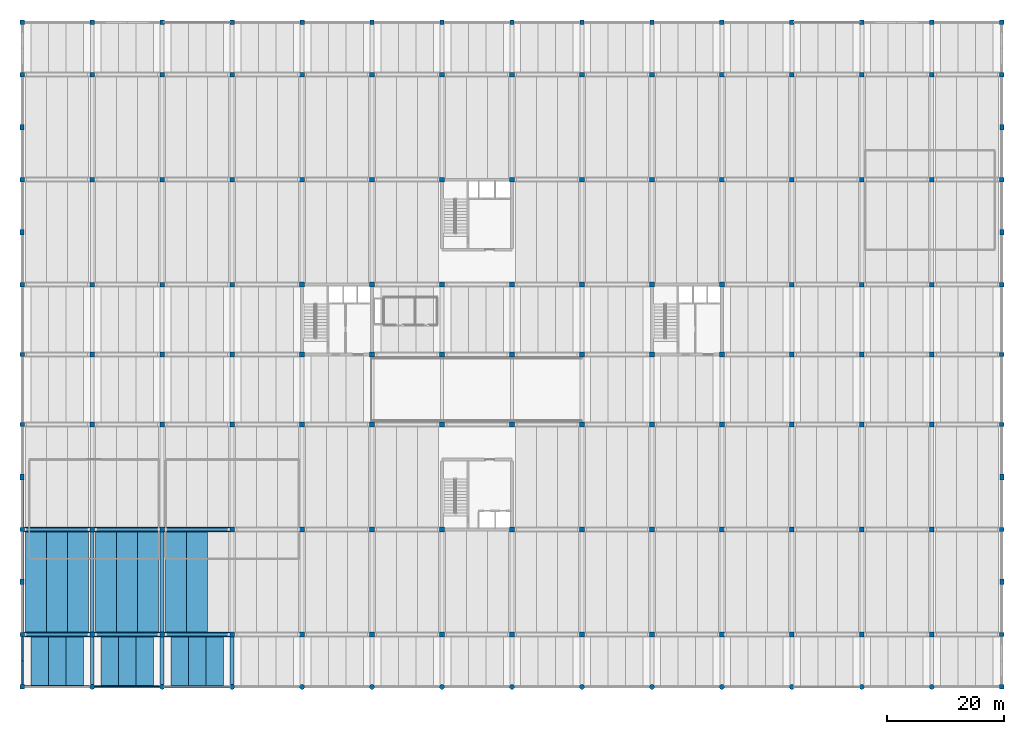
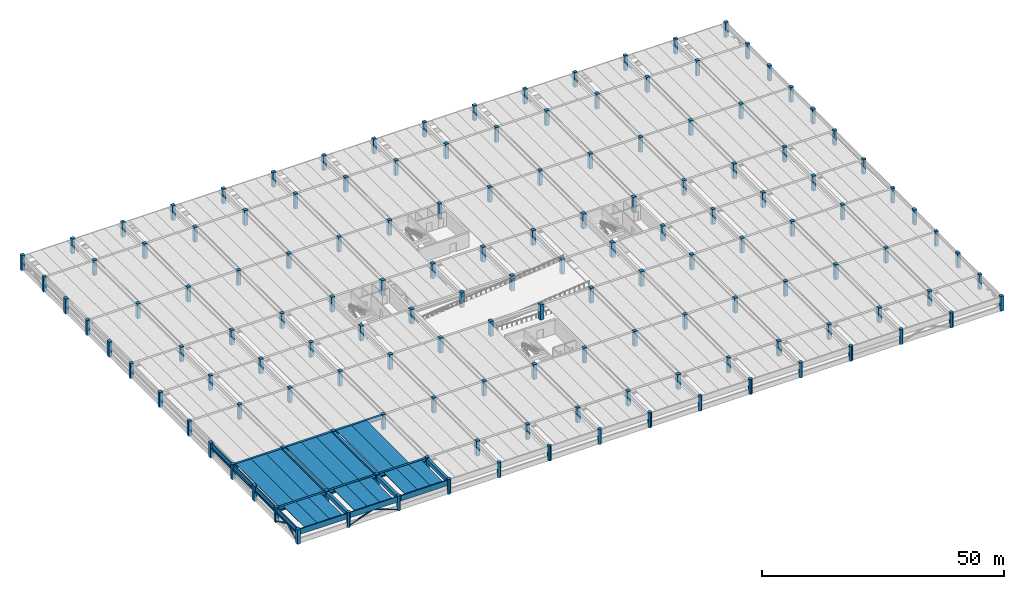
# One storey, part 1 of 21: 143 columns, 35 beams, 4 members.
"""IFC4 building model written with IfcOpenShell, lengths in metres."""

import ifcopenshell
import ifcopenshell.guid

model = None  # the IFC model being written
_history = None  # IfcOwnerHistory: only IFC2X3 demands one
_inside = {}  # id of a spatial element -> (the spatial element, [elements in it])
_under = {}  # id of a project, library or spatial element -> (it, [spatial elements below it])
_declared = {}  # id of a project -> (the project, [libraries it declares])
_typed = {}  # id of a type object -> (the type object, [elements of that type])
_made_of = {}  # id of a material, layer set ... -> (it, [elements and type objects made of it])


def new_model(schema):
    """Start an empty IFC model of exactly this schema.

    Asked for "IFC4X3", IfcOpenShell would pick the latest addendum, in which some entities
    have other attributes; the version numbers below select the first issue.
    IFC2X3 requires an IfcOwnerHistory on every rooted entity: one is made here for all.
    """
    global model, _history
    if schema == "IFC4X3":
        model = ifcopenshell.file(schema_version=(4, 3, 0, 0))
    else:
        model = ifcopenshell.file(schema=schema)
    _inside.clear()
    _under.clear()
    _declared.clear()
    _typed.clear()
    _made_of.clear()
    _history = None
    if model.schema == "IFC2X3":
        org = make("IfcOrganization", Name="unknown")
        user = make(
            "IfcPersonAndOrganization",
            ThePerson=make("IfcPerson", FamilyName="unknown"),
            TheOrganization=org,
        )
        app = make(
            "IfcApplication",
            ApplicationDeveloper=org,
            Version="unknown",
            ApplicationFullName="unknown",
            ApplicationIdentifier="unknown",
        )
        _history = make(
            "IfcOwnerHistory",
            OwningUser=user,
            OwningApplication=app,
            ChangeAction="ADDED",
            CreationDate=0,
        )
    return model


def make(cls, **values):
    """One entity of the class cls with the attributes given. An attribute that is None is left unset."""
    return model.create_entity(
        cls, **{name: value for name, value in values.items() if value is not None}
    )


def rooted(cls, **values):
    """An entity with a GlobalId (a new one), such as an element, a storey or a relation."""
    return make(cls, GlobalId=ifcopenshell.guid.new(), OwnerHistory=_history, **values)


def si_unit(unit_type, name, prefix=None):
    """IfcSIUnit, for example si_unit("LENGTHUNIT", "METRE", prefix="MILLI")."""
    return make("IfcSIUnit", UnitType=unit_type, Prefix=prefix, Name=name)


def assignment(units):
    """IfcUnitAssignment: the units of a project."""
    return None if units is None else make("IfcUnitAssignment", Units=units)


def point(xyz):
    """IfcCartesianPoint."""
    return None if xyz is None else make("IfcCartesianPoint", Coordinates=xyz)


def direction(xyz):
    """IfcDirection."""
    return None if xyz is None else make("IfcDirection", DirectionRatios=xyz)


def frame(location, z_axis=None, x_axis=None):
    """IfcAxis2Placement3D, a coordinate frame: its origin and axes. An axis left out is left unset."""
    return make(
        "IfcAxis2Placement3D",
        Location=point(location),
        Axis=direction(z_axis),
        RefDirection=direction(x_axis),
    )


def frame_2d(location, x_axis=None):
    """IfcAxis2Placement2D, a coordinate frame in the plane: its origin and x axis."""
    return make(
        "IfcAxis2Placement2D", Location=point(location), RefDirection=direction(x_axis)
    )


def origin():
    """The frame at (0, 0, 0) with its axes left unset."""
    return frame((0.0, 0.0, 0.0))


def origin_2d():
    """The frame at (0, 0) in the plane with its x axis left unset."""
    return frame_2d((0.0, 0.0))


def place(relative_to, where):
    """IfcLocalPlacement: puts the frame where relative to a parent placement (None: the world)."""
    return make(
        "IfcLocalPlacement", PlacementRelTo=relative_to, RelativePlacement=where
    )


def context(
    kind, dimensions, precision=None, world=None, true_north=None, identifier=None
):
    """IfcGeometricRepresentationContext, for example the 3D "Model" context."""
    return make(
        "IfcGeometricRepresentationContext",
        ContextIdentifier=identifier,
        ContextType=kind,
        CoordinateSpaceDimension=dimensions,
        Precision=precision,
        WorldCoordinateSystem=world,
        TrueNorth=true_north,
    )


def subcontext(parent, identifier, kind, view, scale=None):
    """IfcGeometricRepresentationSubContext, for example "Body" below "Model"."""
    return make(
        "IfcGeometricRepresentationSubContext",
        ContextIdentifier=identifier,
        ContextType=kind,
        ParentContext=parent,
        TargetScale=scale,
        TargetView=view,
    )


def project(units=None, contexts=None):
    """IfcProject with its units and contexts."""
    return rooted(
        "IfcProject",
        Name="project",
        RepresentationContexts=contexts,
        UnitsInContext=assignment(units),
    )


def spatial(cls, under=None, at=None, **own):
    """A site, building, storey or space (cls), placed at a placement, below another one or the project."""
    s = rooted(cls, ObjectPlacement=at, **own)
    if under is not None:
        _under.setdefault(under.id(), (under, []))[1].append(s)
    return s


def polyline(points):
    """IfcPolyline through the points."""
    return make("IfcPolyline", Points=[point(p) for p in points])


def profile(cls, at=None, kind="AREA", **sizes):
    """A parametric profile (cls). Its sizes go by their IFC names, for example OverallWidth=200.0."""
    return make(cls, ProfileType=kind, Position=at, **sizes)


def rectangle(**sizes):
    """IfcRectangleProfileDef."""
    return profile("IfcRectangleProfileDef", **sizes)


def hollow_rectangle(**sizes):
    """IfcRectangleHollowProfileDef."""
    return profile("IfcRectangleHollowProfileDef", **sizes)


def circle(**sizes):
    """IfcCircleProfileDef."""
    return profile("IfcCircleProfileDef", **sizes)


def outline(outer, holes=None, kind="AREA"):
    """IfcArbitraryClosedProfileDef: a profile drawn as a closed curve; with holes, ...WithVoids."""
    if holes is None:
        return make("IfcArbitraryClosedProfileDef", ProfileType=kind, OuterCurve=outer)
    return make(
        "IfcArbitraryProfileDefWithVoids",
        ProfileType=kind,
        OuterCurve=outer,
        InnerCurves=holes,
    )


def extrude(swept, where, along, depth):
    """IfcExtrudedAreaSolid: the profile swept, set in the frame where, extruded along a direction by depth."""
    return make(
        "IfcExtrudedAreaSolid",
        SweptArea=swept,
        Position=where,
        ExtrudedDirection=direction(along),
        Depth=depth,
    )


def shape(context_of_items, identifier, shape_type, items):
    """IfcShapeRepresentation: the items that make up one representation, for example the "Body"."""
    return make(
        "IfcShapeRepresentation",
        ContextOfItems=context_of_items,
        RepresentationIdentifier=identifier,
        RepresentationType=shape_type,
        Items=items,
    )


def material(Name=None, Category=None):
    """IfcMaterial."""
    return make("IfcMaterial", Name=Name, Category=Category)


def material_profile(
    of_material, cross_section, Name=None, Category=None, Priority=None
):
    """IfcMaterialProfile: a cross section and its material."""
    return make(
        "IfcMaterialProfile",
        Name=Name,
        Material=of_material,
        Profile=cross_section,
        Priority=Priority,
        Category=Category,
    )


def profile_set(profiles, Name=None, composite=None):
    """IfcMaterialProfileSet."""
    return make(
        "IfcMaterialProfileSet",
        Name=Name,
        MaterialProfiles=profiles,
        CompositeProfile=composite,
    )


def made_of(thing, what):
    """Note that an element or type object is made of a material, layer set ...; save() writes the relation."""
    if what is not None:
        _made_of.setdefault(what.id(), (what, []))[1].append(thing)
    return thing


def type_object(cls, material=None, **own):
    """A type object (cls), such as IfcWallType, which elements share."""
    return made_of(rooted(cls, **own), material)


def element(
    cls,
    number,
    at=None,
    inside=None,
    cuts=None,
    type_object=None,
    material=None,
    context=None,
    identifier="Body",
    shape_type=None,
    held_by="IfcProductDefinitionShape",
    body=None,
    shapes=None,
    **own,
):
    """One element of the class cls, such as IfcWall. Its Tag is "e" and its number.

    at: its placement. inside: the storey or other place that contains it. cuts: it is an
    opening in that element (IfcRelVoidsElement). A single representation is given by context,
    identifier, shape_type and body (its items); several are given by shapes. held_by: the class
    of the entity that holds the representations. save() writes the other relations.
    """
    e = rooted(cls, Tag="e%d" % number, ObjectPlacement=at, **own)
    if body is not None:
        shapes = [shape(context, identifier, shape_type, body)]
    if shapes is not None:
        e.Representation = make(held_by, Representations=shapes)
    if inside is not None:
        _inside.setdefault(inside.id(), (inside, []))[1].append(e)
    if cuts is not None:
        rooted(
            "IfcRelVoidsElement", RelatingBuildingElement=cuts, RelatedOpeningElement=e
        )
    if type_object is not None:
        _typed.setdefault(type_object.id(), (type_object, []))[1].append(e)
    return made_of(e, material)


def aggregate(whole, parts):
    """IfcRelAggregates: a whole, such as a stair, and the parts it consists of."""
    return rooted("IfcRelAggregates", RelatingObject=whole, RelatedObjects=parts)


def save(model, path):
    """Write the relations noted so far, then the file.

    IfcRelAggregates (storeys below a building ...), IfcRelContainedInSpatialStructure (elements
    in a storey), IfcRelDefinesByType, IfcRelAssociatesMaterial and IfcRelDeclares: one each for
    every whole, place, type object, material and project.
    """
    for whole, parts in _under.values():
        aggregate(whole, parts)
    for where, things in _inside.values():
        rooted(
            "IfcRelContainedInSpatialStructure",
            RelatedElements=things,
            RelatingStructure=where,
        )
    for kind, things in _typed.values():
        rooted("IfcRelDefinesByType", RelatedObjects=things, RelatingType=kind)
    for what, things in _made_of.values():
        rooted("IfcRelAssociatesMaterial", RelatedObjects=things, RelatingMaterial=what)
    for by, libraries in _declared.values():
        rooted("IfcRelDeclares", RelatingContext=by, RelatedDefinitions=libraries)
    model.write(path)


model = new_model("IFC4")

# Units and contexts
model_context = context("Model", 3, precision=1e-05, world=origin(), true_north=direction((0.0, 1.0)))
body_context = subcontext(model_context, "Body", "Model", "MODEL_VIEW")
ifc_project = project(units=[si_unit("LENGTHUNIT", "METRE"), si_unit("AREAUNIT", "SQUARE_METRE"), si_unit("VOLUMEUNIT", "CUBIC_METRE"), si_unit("PLANEANGLEUNIT", "RADIAN"), si_unit("MASSUNIT", "GRAM", prefix="KILO")], contexts=[model_context])

# Site, building, storey
site_placement = place(None, origin())
site = spatial("IfcSite", under=ifc_project, at=site_placement, CompositionType="ELEMENT")
building_placement = place(site_placement, origin())
building = spatial("IfcBuilding", under=site, at=building_placement, Name="Girod Span Mobility Hub", CompositionType="ELEMENT")
storey_placement = place(building_placement, frame((0.0, 0.0, 17.199951171875)))
storey = spatial("IfcBuildingStorey", under=building, at=storey_placement, Name="L04", CompositionType="ELEMENT", Elevation=17.199951171875)

# Columns
ifc_material_1 = material(Name="Concrete C40/50", Category="concrete")
ifc_material_profile_1 = material_profile(ifc_material_1, rectangle(XDim=0.75, YDim=0.75, at=origin_2d()), Name="PC-COL-750X750")
ifc_profile_set_1 = profile_set([ifc_material_profile_1], Name="Concrete C40/50")
column_type_1 = type_object("IfcColumnType", Name="COL-PC-750X750", PredefinedType="COLUMN", material=ifc_profile_set_1)
for number, where, z_axis, x_axis, name in (
    (1, (0.0, 0.0, 0.0), (0.0, 0.0, 1.0), (1.0, 0.0, 0.0), "Column 1A L04"),
    (2, (0.0, 9.0, 0.0), (0.0, 0.0, 1.0), (1.0, 0.0, 0.0), "Column 1B L04"),
    (3, (0.0, 27.0, 0.0), (0.0, 0.0, 1.0), (1.0, 0.0, 0.0), "Column 1C L04"),
    (4, (0.0, 45.0, 0.0), (0.0, 0.0, 1.0), (1.0, 0.0, 0.0), "Column 1D L04"),
    (5, (0.0, 57.0, 0.0), (0.0, 0.0, 1.0), (1.0, 0.0, 0.0), "Column 1E L04"),
    (6, (0.0, 69.0, 0.0), (0.0, 0.0, 1.0), (1.0, 0.0, 0.0), "Column 1F L04"),
    (7, (0.0, 87.0, 0.0), (0.0, 0.0, 1.0), (1.0, 0.0, 0.0), "Column 1G L04"),
    (8, (0.0, 105.0, 0.0), (0.0, 0.0, 1.0), (1.0, 0.0, 0.0), "Column 1H L04"),
    (9, (0.0, 114.0, 0.0), (0.0, 0.0, 1.0), (1.0, 0.0, 0.0), "Column 1J L04"),
    (10, (12.0, 114.0, 0.0), (0.0, 0.0, 1.0), (1.0, 0.0, 0.0), "Column 2J L04"),
    (11, (24.0, 114.0, 0.0), (0.0, 0.0, 1.0), (1.0, 0.0, 0.0), "Column 3J L04"),
    (12, (36.0, 114.0, 0.0), (0.0, 0.0, 1.0), (1.0, 0.0, 0.0), "Column 4J L04"),
    (13, (48.0, 114.0, 0.0), (0.0, 0.0, 1.0), (1.0, 0.0, 0.0), "Column 5J L04"),
    (14, (60.0, 114.0, 0.0), (0.0, 0.0, 1.0), (1.0, 0.0, 0.0), "Column 6J L04"),
    (15, (72.0, 114.0, 0.0), (0.0, 0.0, 1.0), (1.0, 0.0, 0.0), "Column 7J L04"),
    (16, (84.0, 114.0, 0.0), (0.0, 0.0, 1.0), (1.0, 0.0, 0.0), "Column 8J L04"),
    (17, (96.0, 114.0, 0.0), (0.0, 0.0, 1.0), (1.0, 0.0, 0.0), "Column 9J L04"),
    (18, (108.0, 114.0, 0.0), (0.0, 0.0, 1.0), (1.0, 0.0, 0.0), "Column 10J L04"),
    (19, (120.0, 114.0, 0.0), (0.0, 0.0, 1.0), (1.0, 0.0, 0.0), "Column 11J L04"),
    (20, (132.0, 114.0, 0.0), (0.0, 0.0, 1.0), (1.0, 0.0, 0.0), "Column 12J L04"),
    (21, (144.0, 114.0, 0.0), (0.0, 0.0, 1.0), (1.0, 0.0, 0.0), "Column 13J L04"),
    (22, (156.0, 114.0, 0.0), (0.0, 0.0, 1.0), (1.0, 0.0, 0.0), "Column 14J L04"),
    (23, (168.0, 0.0, 0.0), (0.0, 0.0, 1.0), (1.0, 0.0, 0.0), "Column 15A L04"),
    (24, (168.0, 9.0, 0.0), (0.0, 0.0, 1.0), (1.0, 0.0, 0.0), "Column 15B L04"),
    (25, (168.0, 27.0, 0.0), (0.0, 0.0, 1.0), (1.0, 0.0, 0.0), "Column 15C L04"),
    (26, (168.0, 45.0, 0.0), (0.0, 0.0, 1.0), (1.0, 0.0, 0.0), "Column 15D L04"),
    (27, (168.0, 57.0, 0.0), (0.0, 0.0, 1.0), (1.0, 0.0, 0.0), "Column 15E L04"),
    (28, (168.0, 69.0, 0.0), (0.0, 0.0, 1.0), (1.0, 0.0, 0.0), "Column 15F L04"),
    (29, (168.0, 87.0, 0.0), (0.0, 0.0, 1.0), (1.0, 0.0, 0.0), "Column 15G L04"),
    (30, (168.0, 105.0, 0.0), (0.0, 0.0, 1.0), (1.0, 0.0, 0.0), "Column 15H L04"),
    (31, (168.0, 114.0, 0.0), (0.0, 0.0, 1.0), (1.0, 0.0, 0.0), "Column 15J L04"),
):
    element("IfcColumn", number, at=place(storey_placement, frame(where, z_axis=z_axis, x_axis=x_axis)), inside=storey, type_object=column_type_1, Name=name, PredefinedType="COLUMN", context=body_context, shape_type="SweptSolid", body=[
        extrude(rectangle(XDim=0.75, YDim=0.75, at=origin_2d()), origin(), (0.0, 0.0, 1.0), 3.800048828125),
    ])
ifc_material_2 = material(Name="Concrete C40/50", Category="concrete")
ifc_material_profile_2 = material_profile(ifc_material_2, rectangle(XDim=0.800048828125, YDim=0.800048828125, at=origin_2d()), Name="PC-COL-800X800")
ifc_profile_set_2 = profile_set([ifc_material_profile_2], Name="Concrete C40/50")
column_type_2 = type_object("IfcColumnType", Name="COL-PC-800X800", PredefinedType="COLUMN", material=ifc_profile_set_2)
for number, where, z_axis, x_axis, name in (
    (32, (12.0, 9.0, 0.0), (0.0, 0.0, 1.0), (1.0, 0.0, 0.0), "Column 2B L04"),
    (33, (12.0, 27.0, 0.0), (0.0, 0.0, 1.0), (1.0, 0.0, 0.0), "Column 2C L04"),
    (34, (12.0, 45.0, 0.0), (0.0, 0.0, 1.0), (1.0, 0.0, 0.0), "Column 2D L04"),
    (35, (12.0, 57.0, 0.0), (0.0, 0.0, 1.0), (1.0, 0.0, 0.0), "Column 2E L04"),
    (36, (12.0, 69.0, 0.0), (0.0, 0.0, 1.0), (1.0, 0.0, 0.0), "Column 2F L04"),
    (37, (12.0, 87.0, 0.0), (0.0, 0.0, 1.0), (1.0, 0.0, 0.0), "Column 2G L04"),
    (38, (12.0, 105.0, 0.0), (0.0, 0.0, 1.0), (1.0, 0.0, 0.0), "Column 2H L04"),
    (39, (24.0, 9.0, 0.0), (0.0, 0.0, 1.0), (1.0, 0.0, 0.0), "Column 3B L04"),
    (40, (24.0, 27.0, 0.0), (0.0, 0.0, 1.0), (1.0, 0.0, 0.0), "Column 3C L04"),
    (41, (24.0, 45.0, 0.0), (0.0, 0.0, 1.0), (1.0, 0.0, 0.0), "Column 3D L04"),
    (42, (24.0, 57.0, 0.0), (0.0, 0.0, 1.0), (1.0, 0.0, 0.0), "Column 3E L04"),
    (43, (24.0, 69.0, 0.0), (0.0, 0.0, 1.0), (1.0, 0.0, 0.0), "Column 3F L04"),
    (44, (24.0, 87.0, 0.0), (0.0, 0.0, 1.0), (1.0, 0.0, 0.0), "Column 3G L04"),
    (45, (24.0, 105.0, 0.0), (0.0, 0.0, 1.0), (1.0, 0.0, 0.0), "Column 3H L04"),
    (46, (36.0, 9.0, 0.0), (0.0, 0.0, 1.0), (1.0, 0.0, 0.0), "Column 4B L04"),
    (47, (36.0, 27.0, 0.0), (0.0, 0.0, 1.0), (1.0, 0.0, 0.0), "Column 4C L04"),
    (48, (36.0, 45.0, 0.0), (0.0, 0.0, 1.0), (1.0, 0.0, 0.0), "Column 4D L04"),
    (49, (36.0, 57.0, 0.0), (0.0, 0.0, 1.0), (1.0, 0.0, 0.0), "Column 4E L04"),
    (50, (36.0, 69.0, 0.0), (0.0, 0.0, 1.0), (1.0, 0.0, 0.0), "Column 4F L04"),
    (51, (36.0, 87.0, 0.0), (0.0, 0.0, 1.0), (1.0, 0.0, 0.0), "Column 4G L04"),
    (52, (36.0, 105.0, 0.0), (0.0, 0.0, 1.0), (1.0, 0.0, 0.0), "Column 4H L04"),
    (53, (48.0, 9.0, 0.0), (0.0, 0.0, 1.0), (1.0, 0.0, 0.0), "Column 5B L04"),
    (54, (48.0, 27.0, 0.0), (0.0, 0.0, 1.0), (1.0, 0.0, 0.0), "Column 5C L04"),
    (55, (48.0, 87.0, 0.0), (0.0, 0.0, 1.0), (1.0, 0.0, 0.0), "Column 5G L04"),
    (56, (48.0, 105.0, 0.0), (0.0, 0.0, 1.0), (1.0, 0.0, 0.0), "Column 5H L04"),
    (57, (60.0, 9.0, 0.0), (0.0, 0.0, 1.0), (1.0, 0.0, 0.0), "Column 6B L04"),
    (58, (60.0, 27.0, 0.0), (0.0, 0.0, 1.0), (1.0, 0.0, 0.0), "Column 6C L04"),
    (59, (60.0, 87.0, 0.0), (0.0, 0.0, 1.0), (1.0, 0.0, 0.0), "Column 6G L04"),
    (60, (60.0, 105.0, 0.0), (0.0, 0.0, 1.0), (1.0, 0.0, 0.0), "Column 6H L04"),
    (61, (72.0, 9.0, 0.0), (0.0, 0.0, 1.0), (1.0, 0.0, 0.0), "Column 7B L04"),
    (62, (72.0, 27.0, 0.0), (0.0, 0.0, 1.0), (1.0, 0.0, 0.0), "Column 7C L04"),
    (63, (72.0, 87.0, 0.0), (0.0, 0.0, 1.0), (1.0, 0.0, 0.0), "Column 7G L04"),
    (64, (72.0, 105.0, 0.0), (0.0, 0.0, 1.0), (1.0, 0.0, 0.0), "Column 7H L04"),
    (65, (84.0, 9.0, 0.0), (0.0, 0.0, 1.0), (1.0, 0.0, 0.0), "Column 8B L04"),
    (66, (84.0, 27.0, 0.0), (0.0, 0.0, 1.0), (1.0, 0.0, 0.0), "Column 8C L04"),
    (67, (84.0, 87.0, 0.0), (0.0, 0.0, 1.0), (1.0, 0.0, 0.0), "Column 8G L04"),
    (68, (84.0, 105.0, 0.0), (0.0, 0.0, 1.0), (1.0, 0.0, 0.0), "Column 8H L04"),
    (69, (96.0, 9.0, 0.0), (0.0, 0.0, 1.0), (1.0, 0.0, 0.0), "Column 9B L04"),
    (70, (96.0, 27.0, 0.0), (0.0, 0.0, 1.0), (1.0, 0.0, 0.0), "Column 9C L04"),
    (71, (96.0, 87.0, 0.0), (0.0, 0.0, 1.0), (1.0, 0.0, 0.0), "Column 9G L04"),
    (72, (96.0, 105.0, 0.0), (0.0, 0.0, 1.0), (1.0, 0.0, 0.0), "Column 9H L04"),
    (73, (108.0, 9.0, 0.0), (0.0, 0.0, 1.0), (1.0, 0.0, 0.0), "Column 10B L04"),
    (74, (108.0, 27.0, 0.0), (0.0, 0.0, 1.0), (1.0, 0.0, 0.0), "Column 10C L04"),
    (75, (108.0, 87.0, 0.0), (0.0, 0.0, 1.0), (1.0, 0.0, 0.0), "Column 10G L04"),
    (76, (108.0, 105.0, 0.0), (0.0, 0.0, 1.0), (1.0, 0.0, 0.0), "Column 10H L04"),
    (77, (120.0, 9.0, 0.0), (0.0, 0.0, 1.0), (1.0, 0.0, 0.0), "Column 11B L04"),
    (78, (120.0, 27.0, 0.0), (0.0, 0.0, 1.0), (1.0, 0.0, 0.0), "Column 11C L04"),
    (79, (120.0, 87.0, 0.0), (0.0, 0.0, 1.0), (1.0, 0.0, 0.0), "Column 11G L04"),
    (80, (120.0, 105.0, 0.0), (0.0, 0.0, 1.0), (1.0, 0.0, 0.0), "Column 11H L04"),
    (81, (132.0, 9.0, 0.0), (0.0, 0.0, 1.0), (1.0, 0.0, 0.0), "Column 12B L04"),
    (82, (132.0, 27.0, 0.0), (0.0, 0.0, 1.0), (1.0, 0.0, 0.0), "Column 12C L04"),
    (83, (132.0, 45.0, 0.0), (0.0, 0.0, 1.0), (1.0, 0.0, 0.0), "Column 12D L04"),
    (84, (132.0, 57.0, 0.0), (0.0, 0.0, 1.0), (1.0, 0.0, 0.0), "Column 12E L04"),
    (85, (132.0, 69.0, 0.0), (0.0, 0.0, 1.0), (1.0, 0.0, 0.0), "Column 12F L04"),
    (86, (132.0, 87.0, 0.0), (0.0, 0.0, 1.0), (1.0, 0.0, 0.0), "Column 12G L04"),
    (87, (132.0, 105.0, 0.0), (0.0, 0.0, 1.0), (1.0, 0.0, 0.0), "Column 12H L04"),
    (88, (144.0, 9.0, 0.0), (0.0, 0.0, 1.0), (1.0, 0.0, 0.0), "Column 13B L04"),
    (89, (144.0, 27.0, 0.0), (0.0, 0.0, 1.0), (1.0, 0.0, 0.0), "Column 13C L04"),
    (90, (144.0, 45.0, 0.0), (0.0, 0.0, 1.0), (1.0, 0.0, 0.0), "Column 13D L04"),
    (91, (144.0, 57.0, 0.0), (0.0, 0.0, 1.0), (1.0, 0.0, 0.0), "Column 13E L04"),
    (92, (144.0, 69.0, 0.0), (0.0, 0.0, 1.0), (1.0, 0.0, 0.0), "Column 13F L04"),
    (93, (144.0, 87.0, 0.0), (0.0, 0.0, 1.0), (1.0, 0.0, 0.0), "Column 13G L04"),
    (94, (144.0, 105.0, 0.0), (0.0, 0.0, 1.0), (1.0, 0.0, 0.0), "Column 13H L04"),
    (95, (156.0, 9.0, 0.0), (0.0, 0.0, 1.0), (1.0, 0.0, 0.0), "Column 14B L04"),
    (96, (156.0, 27.0, 0.0), (0.0, 0.0, 1.0), (1.0, 0.0, 0.0), "Column 14C L04"),
    (97, (156.0, 45.0, 0.0), (0.0, 0.0, 1.0), (1.0, 0.0, 0.0), "Column 14D L04"),
    (98, (156.0, 57.0, 0.0), (0.0, 0.0, 1.0), (1.0, 0.0, 0.0), "Column 14E L04"),
    (99, (156.0, 69.0, 0.0), (0.0, 0.0, 1.0), (1.0, 0.0, 0.0), "Column 14F L04"),
    (100, (156.0, 87.0, 0.0), (0.0, 0.0, 1.0), (1.0, 0.0, 0.0), "Column 14G L04"),
    (101, (156.0, 105.0, 0.0), (0.0, 0.0, 1.0), (1.0, 0.0, 0.0), "Column 14H L04"),
):
    element("IfcColumn", number, at=place(storey_placement, frame(where, z_axis=z_axis, x_axis=x_axis)), inside=storey, type_object=column_type_2, Name=name, PredefinedType="COLUMN", context=body_context, shape_type="SweptSolid", body=[
        extrude(rectangle(XDim=0.800048828125, YDim=0.800048828125, at=origin_2d()), origin(), (0.0, 0.0, 1.0), 3.800048828125),
    ])
ifc_material_3 = material(Name="Concrete C40/50", Category="concrete")
ifc_material_profile_3 = material_profile(ifc_material_3, rectangle(XDim=0.85009765625, YDim=0.85009765625, at=origin_2d()), Name="PC-COL-850X850")
ifc_profile_set_3 = profile_set([ifc_material_profile_3], Name="Concrete C40/50")
column_type_3 = type_object("IfcColumnType", Name="COL-PC-850X850", PredefinedType="COLUMN", material=ifc_profile_set_3)
for number, where, z_axis, x_axis, name in (
    (102, (48.0, 45.0, 0.0), (0.0, 0.0, 1.0), (1.0, 0.0, 0.0), "Column 5D L04"),
    (103, (48.0, 57.0, 0.0), (0.0, 0.0, 1.0), (1.0, 0.0, 0.0), "Column 5E L04"),
    (104, (48.0, 69.0, 0.0), (0.0, 0.0, 1.0), (1.0, 0.0, 0.0), "Column 5F L04"),
    (105, (60.0, 45.0, 0.0), (0.0, 0.0, 1.0), (1.0, 0.0, 0.0), "Column 6D L04"),
    (106, (60.0, 57.0, 0.0), (0.0, 0.0, 1.0), (1.0, 0.0, 0.0), "Column 6E L04"),
    (107, (60.0, 69.0, 0.0), (0.0, 0.0, 1.0), (1.0, 0.0, 0.0), "Column 6F L04"),
    (108, (72.0, 45.0, 0.0), (0.0, 0.0, 1.0), (1.0, 0.0, 0.0), "Column 7D L04"),
    (109, (72.0, 57.0, 0.0), (0.0, 0.0, 1.0), (1.0, 0.0, 0.0), "Column 7E L04"),
    (110, (72.0, 69.0, 0.0), (0.0, 0.0, 1.0), (1.0, 0.0, 0.0), "Column 7F L04"),
    (111, (84.0, 45.0, 0.0), (0.0, 0.0, 1.0), (1.0, 0.0, 0.0), "Column 8D L04"),
    (112, (84.0, 57.0, 0.0), (0.0, 0.0, 1.0), (1.0, 0.0, 0.0), "Column 8E L04"),
    (113, (84.0, 69.0, 0.0), (0.0, 0.0, 1.0), (1.0, 0.0, 0.0), "Column 8F L04"),
    (114, (96.0, 45.0, 0.0), (0.0, 0.0, 1.0), (1.0, 0.0, 0.0), "Column 9D L04"),
    (115, (96.0, 57.0, 0.0), (0.0, 0.0, 1.0), (1.0, 0.0, 0.0), "Column 9E L04"),
    (116, (96.0, 69.0, 0.0), (0.0, 0.0, 1.0), (1.0, 0.0, 0.0), "Column 9F L04"),
    (117, (108.0, 45.0, 0.0), (0.0, 0.0, 1.0), (1.0, 0.0, 0.0), "Column 10D L04"),
    (118, (108.0, 57.0, 0.0), (0.0, 0.0, 1.0), (1.0, 0.0, 0.0), "Column 10E L04"),
    (119, (108.0, 69.0, 0.0), (0.0, 0.0, 1.0), (1.0, 0.0, 0.0), "Column 10F L04"),
    (120, (120.0, 45.0, 0.0), (0.0, 0.0, 1.0), (1.0, 0.0, 0.0), "Column 11D L04"),
    (121, (120.0, 57.0, 0.0), (0.0, 0.0, 1.0), (1.0, 0.0, 0.0), "Column 11E L04"),
    (122, (120.0, 69.0, 0.0), (0.0, 0.0, 1.0), (1.0, 0.0, 0.0), "Column 11F L04"),
):
    element("IfcColumn", number, at=place(storey_placement, frame(where, z_axis=z_axis, x_axis=x_axis)), inside=storey, type_object=column_type_3, Name=name, PredefinedType="COLUMN", context=body_context, shape_type="SweptSolid", body=[
        extrude(rectangle(XDim=0.85009765625, YDim=0.85009765625, at=origin_2d()), origin(), (0.0, 0.0, 1.0), 3.800048828125),
    ])
ifc_material_4 = material(Name="Concrete C40/50", Category="concrete")
ifc_material_profile_4 = material_profile(ifc_material_4, circle(Radius=0.425048828125, at=origin_2d()), Name="PC-CIR-D850")
ifc_profile_set_4 = profile_set([ifc_material_profile_4], Name="Concrete C40/50")
column_type_4 = type_object("IfcColumnType", Name="COL-PC-D850", PredefinedType="COLUMN", material=ifc_profile_set_4)
for number, where, z_axis, x_axis, name in (
    (123, (12.0, 0.0, 0.0), (0.0, 0.0, 1.0), (1.0, 0.0, 0.0), "Column 2A L04"),
    (124, (24.0, 0.0, 0.0), (0.0, 0.0, 1.0), (1.0, 0.0, 0.0), "Column 3A L04"),
    (125, (36.0, 0.0, 0.0), (0.0, 0.0, 1.0), (1.0, 0.0, 0.0), "Column 4A L04"),
    (126, (48.0, 0.0, 0.0), (0.0, 0.0, 1.0), (1.0, 0.0, 0.0), "Column 5A L04"),
    (127, (60.0, 0.0, 0.0), (0.0, 0.0, 1.0), (1.0, 0.0, 0.0), "Column 6A L04"),
    (128, (72.0, 0.0, 0.0), (0.0, 0.0, 1.0), (1.0, 0.0, 0.0), "Column 7A L04"),
    (129, (84.0, 0.0, 0.0), (0.0, 0.0, 1.0), (1.0, 0.0, 0.0), "Column 8A L04"),
    (130, (96.0, 0.0, 0.0), (0.0, 0.0, 1.0), (1.0, 0.0, 0.0), "Column 9A L04"),
    (131, (108.0, 0.0, 0.0), (0.0, 0.0, 1.0), (1.0, 0.0, 0.0), "Column 10A L04"),
    (132, (120.0, 0.0, 0.0), (0.0, 0.0, 1.0), (1.0, 0.0, 0.0), "Column 11A L04"),
    (133, (132.0, 0.0, 0.0), (0.0, 0.0, 1.0), (1.0, 0.0, 0.0), "Column 12A L04"),
    (134, (144.0, 0.0, 0.0), (0.0, 0.0, 1.0), (1.0, 0.0, 0.0), "Column 13A L04"),
    (135, (156.0, 0.0, 0.0), (0.0, 0.0, 1.0), (1.0, 0.0, 0.0), "Column 14A L04"),
):
    element("IfcColumn", number, at=place(storey_placement, frame(where, z_axis=z_axis, x_axis=x_axis)), inside=storey, type_object=column_type_4, Name=name, PredefinedType="COLUMN", context=body_context, shape_type="SweptSolid", body=[
        extrude(circle(Radius=0.425048828125, at=origin_2d()), origin(), (0.0, 0.0, 1.0), 3.800048828125),
    ])
ifc_material_5 = material(Name="Concrete C40/50", Category="concrete")
ifc_material_profile_5 = material_profile(ifc_material_5, rectangle(XDim=0.699951171875, YDim=0.949951171875, at=origin_2d()), Name="PC-PIL-700X950")
ifc_profile_set_5 = profile_set([ifc_material_profile_5], Name="Concrete C40/50")
column_type_5 = type_object("IfcColumnType", Name="PIL-PC-700X950", PredefinedType="PILASTER", material=ifc_profile_set_5)
for number, where, z_axis, x_axis, name in (
    (136, (0.0, 18.0, 0.0), (0.0, 0.0, 1.0), (1.0, 0.0, 0.0), "Precast Pilaster PIL-W-18 L04"),
    (137, (0.0, 36.0, 0.0), (0.0, 0.0, 1.0), (1.0, 0.0, 0.0), "Precast Pilaster PIL-W-36 L04"),
    (138, (0.0, 78.0, 0.0), (0.0, 0.0, 1.0), (1.0, 0.0, 0.0), "Precast Pilaster PIL-W-78 L04"),
    (139, (0.0, 96.0, 0.0), (0.0, 0.0, 1.0), (1.0, 0.0, 0.0), "Precast Pilaster PIL-W-96 L04"),
    (140, (168.0, 18.0, 0.0), (0.0, 0.0, 1.0), (1.0, 0.0, 0.0), "Precast Pilaster PIL-E-18 L04"),
    (141, (168.0, 36.0, 0.0), (0.0, 0.0, 1.0), (1.0, 0.0, 0.0), "Precast Pilaster PIL-E-36 L04"),
    (142, (168.0, 78.0, 0.0), (0.0, 0.0, 1.0), (1.0, 0.0, 0.0), "Precast Pilaster PIL-E-78 L04"),
    (143, (168.0, 96.0, 0.0), (0.0, 0.0, 1.0), (1.0, 0.0, 0.0), "Precast Pilaster PIL-E-96 L04"),
):
    element("IfcColumn", number, at=place(storey_placement, frame(where, z_axis=z_axis, x_axis=x_axis)), inside=storey, type_object=column_type_5, Name=name, PredefinedType="PILASTER", context=body_context, shape_type="SweptSolid", body=[
        extrude(rectangle(XDim=0.699951171875, YDim=0.949951171875, at=origin_2d()), origin(), (0.0, 0.0, 1.0), 3.800048828125),
    ])

# Beams
ifc_material_6 = material(Name="Concrete C50/60", Category="concrete")
ifc_material_profile_6 = material_profile(ifc_material_6, outline(polyline([(-1.5, 0.300048828125), (-1.5, 0.2099609375), (-0.8349609375, 0.2099609375), (-0.8125, -0.300048828125), (-0.6875, -0.300048828125), (-0.6650390625, 0.2099609375), (0.6650390625, 0.2099609375), (0.6875, -0.300048828125), (0.8125, -0.300048828125), (0.8349609375, 0.2099609375), (1.5, 0.2099609375), (1.5, 0.300048828125), (-1.5, 0.300048828125)])), Name="DT-3000X600")
ifc_profile_set_6 = profile_set([ifc_material_profile_6], Name="Concrete C50/60")
beam_type_1 = type_object("IfcBeamType", Name="BM-DT-3000X600", PredefinedType="JOIST", material=ifc_profile_set_6)
for number, where, z_axis, x_axis, name in (
    (144, (3.0, 0.02197265625, 3.280029296875), (0.0, 1.0, 0.0), (-1.0, 0.0, 0.0), "Double-Tee Deck 1/A-1 L04"),
    (145, (6.0, 0.02197265625, 3.280029296875), (0.0, 1.0, 0.0), (-1.0, 0.0, 0.0), "Double-Tee Deck 1/A-2 L04"),
    (146, (9.0, 0.02197265625, 3.280029296875), (0.0, 1.0, 0.0), (-1.0, 0.0, 0.0), "Double-Tee Deck 1/A-3 L04"),
    (147, (15.0, 0.02197265625, 3.280029296875), (0.0, 1.0, 0.0), (-1.0, 0.0, 0.0), "Double-Tee Deck 2/A-1 L04"),
    (148, (18.0, 0.02197265625, 3.280029296875), (0.0, 1.0, 0.0), (-1.0, 0.0, 0.0), "Double-Tee Deck 2/A-2 L04"),
    (149, (21.0, 0.02197265625, 3.280029296875), (0.0, 1.0, 0.0), (-1.0, 0.0, 0.0), "Double-Tee Deck 2/A-3 L04"),
    (150, (27.0, 0.02197265625, 3.280029296875), (0.0, 1.0, 0.0), (-1.0, 0.0, 0.0), "Double-Tee Deck 3/A-1 L04"),
    (151, (30.0, 0.02197265625, 3.280029296875), (0.0, 1.0, 0.0), (-1.0, 0.0, 0.0), "Double-Tee Deck 3/A-2 L04"),
    (152, (33.0, 0.02197265625, 3.280029296875), (0.0, 1.0, 0.0), (-1.0, 0.0, 0.0), "Double-Tee Deck 3/A-3 L04"),
):
    element("IfcBeam", number, at=place(storey_placement, frame(where, z_axis=z_axis, x_axis=x_axis)), inside=storey, type_object=beam_type_1, Name=name, PredefinedType="JOIST", context=body_context, shape_type="SweptSolid", body=[
        extrude(outline(polyline([(-1.5, 0.300048828125), (-1.5, 0.2099609375), (-0.8349609375, 0.2099609375), (-0.8125, -0.300048828125), (-0.6875, -0.300048828125), (-0.6650390625, 0.2099609375), (0.6650390625, 0.2099609375), (0.6875, -0.300048828125), (0.8125, -0.300048828125), (0.8349609375, 0.2099609375), (1.5, 0.2099609375), (1.5, 0.300048828125), (-1.5, 0.300048828125)])), origin(), (0.0, 0.0, 1.0), 8.73095703125),
    ])
ifc_material_7 = material(Name="Concrete C50/60", Category="concrete")
ifc_material_profile_7 = material_profile(ifc_material_7, outline(polyline([(-1.800048828125, 0.425048828125), (-1.800048828125, 0.324951171875), (-1.0, 0.324951171875), (-0.969970703125, -0.425048828125), (-0.830078125, -0.425048828125), (-0.800048828125, 0.324951171875), (0.800048828125, 0.324951171875), (0.830078125, -0.425048828125), (0.969970703125, -0.425048828125), (1.0, 0.324951171875), (1.800048828125, 0.324951171875), (1.800048828125, 0.425048828125), (-1.800048828125, 0.425048828125)])), Name="DT-3600X850")
ifc_profile_set_7 = profile_set([ifc_material_profile_7], Name="Concrete C50/60")
beam_type_2 = type_object("IfcBeamType", Name="BM-DT-3600X850", PredefinedType="JOIST", material=ifc_profile_set_7)
for number, where, z_axis, x_axis, name in (
    (153, (2.39990234375, 9.2470703125, 3.155029296875), (0.0, 1.0, 0.0), (-1.0, 0.0, 0.0), "Double-Tee Deck 1/B-1 L04"),
    (154, (6.0, 9.2470703125, 3.155029296875), (0.0, 1.0, 0.0), (-1.0, 0.0, 0.0), "Double-Tee Deck 1/B-2 L04"),
    (155, (9.60009765625, 9.2470703125, 3.155029296875), (0.0, 1.0, 0.0), (-1.0, 0.0, 0.0), "Double-Tee Deck 1/B-3 L04"),
    (156, (14.39990234375, 9.2470703125, 3.215087890625), (0.0, 1.0, 0.0), (-1.0, 0.0, 0.0), "Double-Tee Deck 2/B-1 L04"),
    (157, (18.0, 9.2470703125, 3.215087890625), (0.0, 1.0, 0.0), (-1.0, 0.0, 0.0), "Double-Tee Deck 2/B-2 L04"),
    (158, (21.60009765625, 9.2470703125, 3.215087890625), (0.0, 1.0, 0.0), (-1.0, 0.0, 0.0), "Double-Tee Deck 2/B-3 L04"),
    (159, (26.39990234375, 9.2470703125, 3.215087890625), (0.0, 1.0, 0.0), (-1.0, 0.0, 0.0), "Double-Tee Deck 3/B-1 L04"),
    (160, (30.0, 9.2470703125, 3.215087890625), (0.0, 1.0, 0.0), (-1.0, 0.0, 0.0), "Double-Tee Deck 3/B-2 L04"),
):
    element("IfcBeam", number, at=place(storey_placement, frame(where, z_axis=z_axis, x_axis=x_axis)), inside=storey, type_object=beam_type_2, Name=name, PredefinedType="JOIST", context=body_context, shape_type="SweptSolid", body=[
        extrude(outline(polyline([(-1.800048828125, 0.425048828125), (-1.800048828125, 0.324951171875), (-1.0, 0.324951171875), (-0.969970703125, -0.425048828125), (-0.830078125, -0.425048828125), (-0.800048828125, 0.324951171875), (0.800048828125, 0.324951171875), (0.830078125, -0.425048828125), (0.969970703125, -0.425048828125), (1.0, 0.324951171875), (1.800048828125, 0.324951171875), (1.800048828125, 0.425048828125), (-1.800048828125, 0.425048828125)])), origin(), (0.0, 0.0, 1.0), 17.505859375),
    ])
ifc_material_8 = material(Name="Concrete C50/60", Category="concrete")
ifc_material_profile_8 = material_profile(ifc_material_8, outline(polyline([(-0.425048828125, -0.47509765625), (0.425048828125, -0.47509765625), (0.425048828125, -0.155029296875), (0.25, -0.155029296875), (0.25, 0.47509765625), (-0.25, 0.47509765625), (-0.25, -0.155029296875), (-0.425048828125, -0.155029296875), (-0.425048828125, -0.47509765625)])), Name="IT-850X950")
ifc_profile_set_8 = profile_set([ifc_material_profile_8], Name="Concrete C50/60")
beam_type_3 = type_object("IfcBeamType", Name="BM-IT-850X950", PredefinedType="T_BEAM", material=ifc_profile_set_8)
beam_1_placement = place(storey_placement, frame((0.3720703125, 9.0, 3.10498046875), z_axis=(1.0, 0.0, 0.0), x_axis=(0.0, 1.0, 0.0)))
element("IfcBeam", 161, at=beam_1_placement, inside=storey, type_object=beam_type_3, Name="Girder 1-2/B L04", PredefinedType="T_BEAM", context=body_context, shape_type="SweptSolid", body=[
    extrude(outline(polyline([(-0.425048828125, -0.47509765625), (0.425048828125, -0.47509765625), (0.425048828125, -0.155029296875), (0.25, -0.155029296875), (0.25, 0.47509765625), (-0.25, 0.47509765625), (-0.25, -0.155029296875), (-0.425048828125, -0.155029296875), (-0.425048828125, -0.47509765625)])), origin(), (0.0, 0.0, 1.0), 11.23095703125),
])
for number, where, z_axis, x_axis, name in (
    (162, (12.39697265625, 9.0, 3.1650390625), (1.0, 0.0, 0.0), (0.0, 1.0, 0.0), "Girder 2-3/B L04"),
    (163, (24.39697265625, 9.0, 3.1650390625), (1.0, 0.0, 0.0), (0.0, 1.0, 0.0), "Girder 3-4/B L04"),
):
    element("IfcBeam", number, at=place(storey_placement, frame(where, z_axis=z_axis, x_axis=x_axis)), inside=storey, type_object=beam_type_3, Name=name, PredefinedType="T_BEAM", context=body_context, shape_type="SweptSolid", body=[
        extrude(outline(polyline([(-0.425048828125, -0.47509765625), (0.425048828125, -0.47509765625), (0.425048828125, -0.155029296875), (0.25, -0.155029296875), (0.25, 0.47509765625), (-0.25, 0.47509765625), (-0.25, -0.155029296875), (-0.425048828125, -0.155029296875), (-0.425048828125, -0.47509765625)])), origin(), (0.0, 0.0, 1.0), 11.2060546875),
    ])
beam_2_placement = place(storey_placement, frame((0.3720703125, 27.0, 3.10498046875), z_axis=(1.0, 0.0, 0.0), x_axis=(0.0, 1.0, 0.0)))
element("IfcBeam", 164, at=beam_2_placement, inside=storey, type_object=beam_type_3, Name="Girder 1-2/C L04", PredefinedType="T_BEAM", context=body_context, shape_type="SweptSolid", body=[
    extrude(outline(polyline([(-0.425048828125, -0.47509765625), (0.425048828125, -0.47509765625), (0.425048828125, -0.155029296875), (0.25, -0.155029296875), (0.25, 0.47509765625), (-0.25, 0.47509765625), (-0.25, -0.155029296875), (-0.425048828125, -0.155029296875), (-0.425048828125, -0.47509765625)])), origin(), (0.0, 0.0, 1.0), 11.23095703125),
])
for number, where, z_axis, x_axis, name in (
    (165, (12.39697265625, 27.0, 3.1650390625), (1.0, 0.0, 0.0), (0.0, 1.0, 0.0), "Girder 2-3/C L04"),
    (166, (24.39697265625, 27.0, 3.1650390625), (1.0, 0.0, 0.0), (0.0, 1.0, 0.0), "Girder 3-4/C L04"),
):
    element("IfcBeam", number, at=place(storey_placement, frame(where, z_axis=z_axis, x_axis=x_axis)), inside=storey, type_object=beam_type_3, Name=name, PredefinedType="T_BEAM", context=body_context, shape_type="SweptSolid", body=[
        extrude(outline(polyline([(-0.425048828125, -0.47509765625), (0.425048828125, -0.47509765625), (0.425048828125, -0.155029296875), (0.25, -0.155029296875), (0.25, 0.47509765625), (-0.25, 0.47509765625), (-0.25, -0.155029296875), (-0.425048828125, -0.155029296875), (-0.425048828125, -0.47509765625)])), origin(), (0.0, 0.0, 1.0), 11.2060546875),
    ])
ifc_material_9 = material(Name="Concrete C40/50", Category="concrete")
ifc_material_profile_9 = material_profile(ifc_material_9, outline(polyline([(-0.22509765625, -0.675048828125), (0.22509765625, -0.675048828125), (0.22509765625, -0.324951171875), (0.02490234375, -0.324951171875), (0.02490234375, 0.675048828125), (-0.22509765625, 0.675048828125), (-0.22509765625, -0.675048828125)])), Name="SP-450X1350")
ifc_profile_set_9 = profile_set([ifc_material_profile_9], Name="Concrete C40/50")
beam_type_4 = type_object("IfcBeamType", Name="BM-SP-450X1350", PredefinedType="SPANDREL", material=ifc_profile_set_9)
beam_3_placement = place(storey_placement, frame((0.3720703125, 0.0, 2.905029296875), z_axis=(1.0, 0.0, 0.0), x_axis=(0.0, 1.0, 0.0)))
element("IfcBeam", 167, at=beam_3_placement, inside=storey, type_object=beam_type_4, Name="Girder 1-2/A L04", PredefinedType="SPANDREL", context=body_context, shape_type="SweptSolid", body=[
    extrude(outline(polyline([(-0.22509765625, -0.675048828125), (0.22509765625, -0.675048828125), (0.22509765625, -0.324951171875), (0.02490234375, -0.324951171875), (0.02490234375, 0.675048828125), (-0.22509765625, 0.675048828125), (-0.22509765625, -0.675048828125)])), origin(), (0.0, 0.0, 1.0), 11.205810546875),
])
for number, where, z_axis, x_axis, name in (
    (168, (12.422119140625, 0.0, 2.905029296875), (1.0, 0.0, 0.0), (0.0, 1.0, 0.0), "Girder 2-3/A L04"),
    (169, (24.422119140625, 0.0, 2.905029296875), (1.0, 0.0, 0.0), (0.0, 1.0, 0.0), "Girder 3-4/A L04"),
):
    element("IfcBeam", number, at=place(storey_placement, frame(where, z_axis=z_axis, x_axis=x_axis)), inside=storey, type_object=beam_type_4, Name=name, PredefinedType="SPANDREL", context=body_context, shape_type="SweptSolid", body=[
        extrude(outline(polyline([(-0.22509765625, -0.675048828125), (0.22509765625, -0.675048828125), (0.22509765625, -0.324951171875), (0.02490234375, -0.324951171875), (0.02490234375, 0.675048828125), (-0.22509765625, 0.675048828125), (-0.22509765625, -0.675048828125)])), origin(), (0.0, 0.0, 1.0), 11.15576171875),
    ])
beam_4_placement = place(storey_placement, frame((0.0, 0.3720703125, 2.905029296875), z_axis=(0.0, 1.0, 0.0), x_axis=(-1.0, 0.0, 0.0)))
element("IfcBeam", 170, at=beam_4_placement, inside=storey, type_object=beam_type_4, Name="Tie Girder 1/A-B L04", PredefinedType="SPANDREL", context=body_context, shape_type="SweptSolid", body=[
    extrude(outline(polyline([(-0.22509765625, -0.675048828125), (0.22509765625, -0.675048828125), (0.22509765625, -0.324951171875), (0.02490234375, -0.324951171875), (0.02490234375, 0.675048828125), (-0.22509765625, 0.675048828125), (-0.22509765625, -0.675048828125)])), origin(), (0.0, 0.0, 1.0), 8.255859375),
])
for number, where, z_axis, x_axis, name in (
    (171, (0.0, 9.3720703125, 2.905029296875), (0.0, 1.0, 0.0), (-1.0, 0.0, 0.0), "Perimeter Spandrel 1/B-S L04"),
    (172, (0.0, 18.471923828125, 2.905029296875), (0.0, 1.0, 0.0), (-1.0, 0.0, 0.0), "Perimeter Spandrel 1/B-N L04"),
    (173, (0.0, 27.3720703125, 2.905029296875), (0.0, 1.0, 0.0), (-1.0, 0.0, 0.0), "Perimeter Spandrel 1/C-S L04"),
):
    element("IfcBeam", number, at=place(storey_placement, frame(where, z_axis=z_axis, x_axis=x_axis)), inside=storey, type_object=beam_type_4, Name=name, PredefinedType="SPANDREL", context=body_context, shape_type="SweptSolid", body=[
        extrude(outline(polyline([(-0.22509765625, -0.675048828125), (0.22509765625, -0.675048828125), (0.22509765625, -0.324951171875), (0.02490234375, -0.324951171875), (0.02490234375, 0.675048828125), (-0.22509765625, 0.675048828125), (-0.22509765625, -0.675048828125)])), origin(), (0.0, 0.0, 1.0), 8.156005859375),
    ])
ifc_material_10 = material(Name="Concrete C40/50", Category="concrete")
ifc_material_profile_10 = material_profile(ifc_material_10, rectangle(XDim=0.64990234375, YDim=1.0, at=origin_2d()), Name="TG-650X1000")
ifc_profile_set_10 = profile_set([ifc_material_profile_10], Name="Concrete C40/50")
beam_type_5 = type_object("IfcBeamType", Name="BM-TG-650X1000", PredefinedType="T_BEAM", material=ifc_profile_set_10)
beam_5_placement = place(storey_placement, frame((12.0, 0.422119140625, 3.080078125), z_axis=(0.0, 1.0, 0.0), x_axis=(-1.0, 0.0, 0.0)))
element("IfcBeam", 174, at=beam_5_placement, inside=storey, type_object=beam_type_5, Name="Tie Girder 2/A-B L04", PredefinedType="T_BEAM", context=body_context, shape_type="SweptSolid", body=[
    extrude(rectangle(XDim=0.64990234375, YDim=1.0, at=origin_2d()), origin(), (0.0, 0.0, 1.0), 8.180908203125),
])
beam_6_placement = place(storey_placement, frame((12.0, 9.39697265625, 3.14013671875), z_axis=(0.0, 1.0, 0.0), x_axis=(-1.0, 0.0, 0.0)))
element("IfcBeam", 175, at=beam_6_placement, inside=storey, type_object=beam_type_5, Name="Tie Girder 2/B-C L04", PredefinedType="T_BEAM", context=body_context, shape_type="SweptSolid", body=[
    extrude(rectangle(XDim=0.64990234375, YDim=1.0, at=origin_2d()), origin(), (0.0, 0.0, 1.0), 17.2060546875),
])
beam_7_placement = place(storey_placement, frame((24.0, 0.422119140625, 3.080078125), z_axis=(0.0, 1.0, 0.0), x_axis=(-1.0, 0.0, 0.0)))
element("IfcBeam", 176, at=beam_7_placement, inside=storey, type_object=beam_type_5, Name="Tie Girder 3/A-B L04", PredefinedType="T_BEAM", context=body_context, shape_type="SweptSolid", body=[
    extrude(rectangle(XDim=0.64990234375, YDim=1.0, at=origin_2d()), origin(), (0.0, 0.0, 1.0), 8.180908203125),
])
beam_8_placement = place(storey_placement, frame((24.0, 9.39697265625, 3.14013671875), z_axis=(0.0, 1.0, 0.0), x_axis=(-1.0, 0.0, 0.0)))
element("IfcBeam", 177, at=beam_8_placement, inside=storey, type_object=beam_type_5, Name="Tie Girder 3/B-C L04", PredefinedType="T_BEAM", context=body_context, shape_type="SweptSolid", body=[
    extrude(rectangle(XDim=0.64990234375, YDim=1.0, at=origin_2d()), origin(), (0.0, 0.0, 1.0), 17.2060546875),
])
beam_9_placement = place(storey_placement, frame((36.0, 0.422119140625, 3.080078125), z_axis=(0.0, 1.0, 0.0), x_axis=(-1.0, 0.0, 0.0)))
element("IfcBeam", 178, at=beam_9_placement, inside=storey, type_object=beam_type_5, Name="Tie Girder 4/A-B L04", PredefinedType="T_BEAM", context=body_context, shape_type="SweptSolid", body=[
    extrude(rectangle(XDim=0.64990234375, YDim=1.0, at=origin_2d()), origin(), (0.0, 0.0, 1.0), 8.180908203125),
])

# Members
ifc_material_11 = material(Name="Steel HSS A500 Grade C", Category="steel")
ifc_material_profile_11 = material_profile(ifc_material_11, hollow_rectangle(XDim=0.25390625, YDim=0.25390625, WallThickness=0.01171875, InnerFilletRadius=0.01171875, OuterFilletRadius=0.023681640625, at=origin_2d()), Name="HSS254X254X12.7")
ifc_profile_set_11 = profile_set([ifc_material_profile_11], Name="Steel HSS A500 Grade C")
member_type = type_object("IfcMemberType", Name="MB-BR-HSS254", PredefinedType="BRACE", material=ifc_profile_set_11)
for number, where, z_axis, x_axis, name in (
    (179, (12.405029296875, 0.0, 0.35009765625), (0.943767793912, 0.0, 0.330609060938), (0.0, 1.0, 0.0), "Perimeter Chevron Brace 2/A-L L04"),
    (180, (23.594970703125, 0.0, 0.35009765625), (-0.943767793912, 0.0, 0.330609060938), (0.0, -1.0, 0.0), "Perimeter Chevron Brace 2/A-R L04"),
):
    element("IfcMember", number, at=place(storey_placement, frame(where, z_axis=z_axis, x_axis=x_axis)), inside=storey, type_object=member_type, Name=name, PredefinedType="BRACE", context=body_context, shape_type="SweptSolid", body=[
        extrude(hollow_rectangle(XDim=0.25390625, YDim=0.25390625, WallThickness=0.01171875, InnerFilletRadius=0.01171875, OuterFilletRadius=0.023681640625, at=origin_2d()), origin(), (0.0, 0.0, 1.0), 5.92822265625),
    ])
for number, where, z_axis, x_axis, name in (
    (181, (0.0, 0.35498046875, 0.35009765625), (0.0, 0.904030366527, 0.427468240221), (-1.0, 0.0, 0.0), "Side Chevron Brace 1/A-S L04"),
    (182, (0.0, 8.64501953125, 0.35009765625), (0.0, -0.904030366527, 0.427468240221), (1.0, 0.0, 0.0), "Side Chevron Brace 1/A-N L04"),
):
    element("IfcMember", number, at=place(storey_placement, frame(where, z_axis=z_axis, x_axis=x_axis)), inside=storey, type_object=member_type, Name=name, PredefinedType="BRACE", context=body_context, shape_type="SweptSolid", body=[
        extrude(hollow_rectangle(XDim=0.25390625, YDim=0.25390625, WallThickness=0.01171875, InnerFilletRadius=0.01171875, OuterFilletRadius=0.023681640625, at=origin_2d()), origin(), (0.0, 0.0, 1.0), 4.5849609375),
    ])

save(model, "model.ifc")
